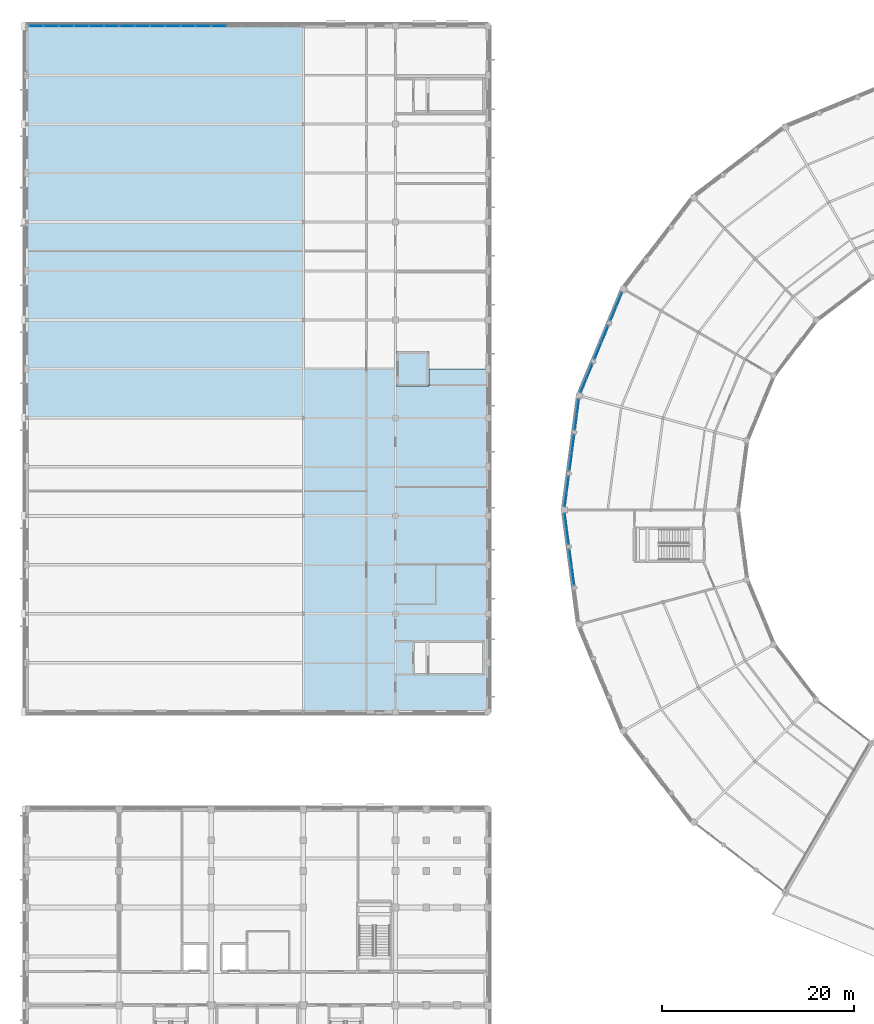
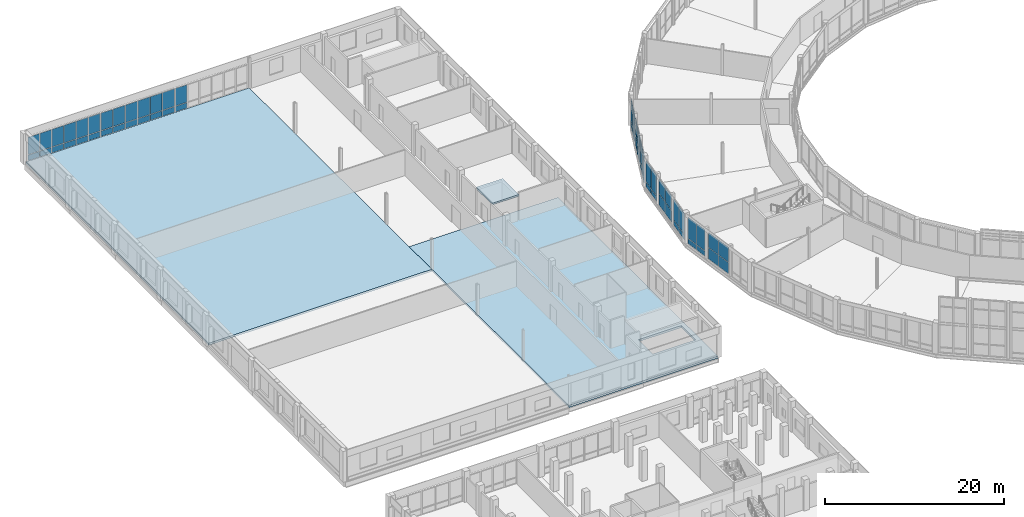
# One storey, part 139 of 185: 58 plates, 3 slabs, 11 elements without a shape of their own.
"""IFC4 building model written with IfcOpenShell, lengths in metres."""

from ifc_helpers import new_model, si_unit, direction, frame, origin, origin_2d, place, context, subcontext, project, spatial, polyline, rectangle, outline, extrude, material, layer, layer_set, type_object, element, aggregate, save


model = new_model("IFC4")

# Units and contexts
model_context = context("Model", 3, precision=1e-05, world=origin(), true_north=direction((0.0, 1.0)))
body_context = subcontext(model_context, "Body", "Model", "MODEL_VIEW")
ifc_project = project(units=[si_unit("LENGTHUNIT", "METRE"), si_unit("AREAUNIT", "SQUARE_METRE"), si_unit("VOLUMEUNIT", "CUBIC_METRE"), si_unit("PLANEANGLEUNIT", "RADIAN"), si_unit("MASSUNIT", "GRAM", prefix="KILO")], contexts=[model_context])

# Site, building, storey
site_placement = place(None, origin())
site = spatial("IfcSite", under=ifc_project, at=site_placement, CompositionType="ELEMENT")
building_placement = place(site_placement, origin())
building = spatial("IfcBuilding", under=site, at=building_placement, Name="Vondelvale Polytechnic", CompositionType="ELEMENT")
storey_placement = place(building_placement, frame((0.0, 0.0, 9.60009765625)))
storey = spatial("IfcBuildingStorey", under=building, at=storey_placement, Name="L02", CompositionType="ELEMENT", Elevation=9.60009765625)

# Curtain wall, plates
ifc_material_1 = material(Name="Anodised extruded aluminium 6063-T6", Category="aluminium")
curtain_wall_type_1 = type_object("IfcCurtainWallType", Name="CW-STUDIO-NORTH", PredefinedType="NOTDEFINED", material=ifc_material_1)
curtain_wall_1_placement = place(storey_placement, origin())
curtain_wall_1 = element("IfcCurtainWall", 1, at=curtain_wall_1_placement, inside=storey, type_object=curtain_wall_type_1, Name="L02 architectural curtain wall CW-01-004", PredefinedType="NOTDEFINED")
ifc_material_2 = material(Name="Double-glazed low-E insulated architectural glass", Category="glass")
ifc_layer_1 = layer(ifc_material_2, 0.028076171875)
ifc_layer_set_1 = layer_set([ifc_layer_1], Name="CW-PANEL-GLAZED")
plate_type_1 = type_object("IfcPlateType", Name="CW-PANEL-GLAZED", PredefinedType="CURTAIN_PANEL", material=ifc_layer_set_1)
plate_1_placement = place(storey_placement, frame((0.992431640625, 122.39990234375, 0.8798828125), z_axis=(0.0, 0.0, 1.0), x_axis=(1.0, 0.0, 0.0)))
plate_1 = element("IfcPlate", 2, at=plate_1_placement, type_object=plate_type_1, Name="CW-01-004 panel 1.2", PredefinedType="CURTAIN_PANEL", context=body_context, shape_type="SweptSolid", body=[
    extrude(rectangle(XDim=1.4677734375, YDim=0.028076171875, at=origin_2d()), origin(), (0.0, 0.0, 1.0), 2.3798828125),
])
plate_2_placement = place(storey_placement, frame((2.541259765625, 122.39990234375, 0.8798828125), z_axis=(0.0, 0.0, 1.0), x_axis=(1.0, 0.0, 0.0)))
plate_2 = element("IfcPlate", 3, at=plate_2_placement, type_object=plate_type_1, Name="CW-01-004 panel 2.2", PredefinedType="CURTAIN_PANEL", context=body_context, shape_type="SweptSolid", body=[
    extrude(rectangle(XDim=1.500244140625, YDim=0.028076171875, at=origin_2d()), origin(), (0.0, 0.0, 1.0), 2.3798828125),
])
plate_3_placement = place(storey_placement, frame((4.106689453125, 122.39990234375, 0.8798828125), z_axis=(0.0, 0.0, 1.0), x_axis=(1.0, 0.0, 0.0)))
plate_3 = element("IfcPlate", 4, at=plate_3_placement, type_object=plate_type_1, Name="CW-01-004 panel 3.2", PredefinedType="CURTAIN_PANEL", context=body_context, shape_type="SweptSolid", body=[
    extrude(rectangle(XDim=1.500244140625, YDim=0.028076171875, at=origin_2d()), origin(), (0.0, 0.0, 1.0), 2.3798828125),
])
plate_4_placement = place(storey_placement, frame((5.671875, 122.39990234375, 0.8798828125), z_axis=(0.0, 0.0, 1.0), x_axis=(1.0, 0.0, 0.0)))
plate_4 = element("IfcPlate", 5, at=plate_4_placement, type_object=plate_type_1, Name="CW-01-004 panel 4.2", PredefinedType="CURTAIN_PANEL", context=body_context, shape_type="SweptSolid", body=[
    extrude(rectangle(XDim=1.500244140625, YDim=0.028076171875, at=origin_2d()), origin(), (0.0, 0.0, 1.0), 2.3798828125),
])
plate_5_placement = place(storey_placement, frame((7.237060546875, 122.39990234375, 0.8798828125), z_axis=(0.0, 0.0, 1.0), x_axis=(1.0, 0.0, 0.0)))
plate_5 = element("IfcPlate", 6, at=plate_5_placement, type_object=plate_type_1, Name="CW-01-004 panel 5.2", PredefinedType="CURTAIN_PANEL", context=body_context, shape_type="SweptSolid", body=[
    extrude(rectangle(XDim=1.500244140625, YDim=0.028076171875, at=origin_2d()), origin(), (0.0, 0.0, 1.0), 2.3798828125),
])
plate_6_placement = place(storey_placement, frame((8.7861328125, 122.39990234375, 0.8798828125), z_axis=(0.0, 0.0, 1.0), x_axis=(1.0, 0.0, 0.0)))
plate_6 = element("IfcPlate", 7, at=plate_6_placement, type_object=plate_type_1, Name="CW-01-004 panel 6.2", PredefinedType="CURTAIN_PANEL", context=body_context, shape_type="SweptSolid", body=[
    extrude(rectangle(XDim=1.4677734375, YDim=0.028076171875, at=origin_2d()), origin(), (0.0, 0.0, 1.0), 2.3798828125),
])

curtain_wall_2_placement = place(storey_placement, origin())
curtain_wall_2 = element("IfcCurtainWall", 8, at=curtain_wall_2_placement, inside=storey, type_object=curtain_wall_type_1, Name="L02 architectural curtain wall CW-01-005", PredefinedType="NOTDEFINED")
plate_7_placement = place(storey_placement, frame((10.4287109375, 122.39990234375, 0.8798828125), z_axis=(0.0, 0.0, 1.0), x_axis=(1.0, 0.0, 0.0)))
plate_7 = element("IfcPlate", 9, at=plate_7_placement, type_object=plate_type_1, Name="CW-01-005 panel 1.2", PredefinedType="CURTAIN_PANEL", context=body_context, shape_type="SweptSolid", body=[
    extrude(rectangle(XDim=1.49755859375, YDim=0.028076171875, at=origin_2d()), origin(), (0.0, 0.0, 1.0), 2.3798828125),
])
plate_8_placement = place(storey_placement, frame((12.007568359375, 122.39990234375, 0.8798828125), z_axis=(0.0, 0.0, 1.0), x_axis=(1.0, 0.0, 0.0)))
plate_8 = element("IfcPlate", 10, at=plate_8_placement, type_object=plate_type_1, Name="CW-01-005 panel 2.2", PredefinedType="CURTAIN_PANEL", context=body_context, shape_type="SweptSolid", body=[
    extrude(rectangle(XDim=1.530029296875, YDim=0.028076171875, at=origin_2d()), origin(), (0.0, 0.0, 1.0), 2.3798828125),
])
plate_9_placement = place(storey_placement, frame((13.6025390625, 122.39990234375, 0.8798828125), z_axis=(0.0, 0.0, 1.0), x_axis=(1.0, 0.0, 0.0)))
plate_9 = element("IfcPlate", 11, at=plate_9_placement, type_object=plate_type_1, Name="CW-01-005 panel 3.2", PredefinedType="CURTAIN_PANEL", context=body_context, shape_type="SweptSolid", body=[
    extrude(rectangle(XDim=1.530029296875, YDim=0.028076171875, at=origin_2d()), origin(), (0.0, 0.0, 1.0), 2.3798828125),
])
plate_10_placement = place(storey_placement, frame((15.197509765625, 122.39990234375, 0.8798828125), z_axis=(0.0, 0.0, 1.0), x_axis=(1.0, 0.0, 0.0)))
plate_10 = element("IfcPlate", 12, at=plate_10_placement, type_object=plate_type_1, Name="CW-01-005 panel 4.2", PredefinedType="CURTAIN_PANEL", context=body_context, shape_type="SweptSolid", body=[
    extrude(rectangle(XDim=1.530029296875, YDim=0.028076171875, at=origin_2d()), origin(), (0.0, 0.0, 1.0), 2.3798828125),
])
plate_11_placement = place(storey_placement, frame((16.79248046875, 122.39990234375, 0.8798828125), z_axis=(0.0, 0.0, 1.0), x_axis=(1.0, 0.0, 0.0)))
plate_11 = element("IfcPlate", 13, at=plate_11_placement, type_object=plate_type_1, Name="CW-01-005 panel 5.2", PredefinedType="CURTAIN_PANEL", context=body_context, shape_type="SweptSolid", body=[
    extrude(rectangle(XDim=1.530029296875, YDim=0.028076171875, at=origin_2d()), origin(), (0.0, 0.0, 1.0), 2.3798828125),
])
plate_12_placement = place(storey_placement, frame((18.371337890625, 122.39990234375, 0.8798828125), z_axis=(0.0, 0.0, 1.0), x_axis=(1.0, 0.0, 0.0)))
plate_12 = element("IfcPlate", 14, at=plate_12_placement, type_object=plate_type_1, Name="CW-01-005 panel 6.2", PredefinedType="CURTAIN_PANEL", context=body_context, shape_type="SweptSolid", body=[
    extrude(rectangle(XDim=1.49755859375, YDim=0.028076171875, at=origin_2d()), origin(), (0.0, 0.0, 1.0), 2.3798828125),
])

# Curtain wall, plate
curtain_wall_3_placement = place(storey_placement, origin())
curtain_wall_3 = element("IfcCurtainWall", 15, at=curtain_wall_3_placement, inside=storey, type_object=curtain_wall_type_1, Name="L02 architectural curtain wall CW-01-006", PredefinedType="NOTDEFINED")
plate_13_placement = place(storey_placement, frame((20.013916015625, 122.39990234375, 0.8798828125), z_axis=(0.0, 0.0, 1.0), x_axis=(1.0, 0.0, 0.0)))
plate_13 = element("IfcPlate", 16, at=plate_13_placement, type_object=plate_type_1, Name="CW-01-006 panel 1.2", PredefinedType="CURTAIN_PANEL", context=body_context, shape_type="SweptSolid", body=[
    extrude(rectangle(XDim=1.4677734375, YDim=0.028076171875, at=origin_2d()), origin(), (0.0, 0.0, 1.0), 2.3798828125),
])

# Curtain wall, plates
ifc_material_3 = material(Name="Glulam GL18 structural Tasmanian oak (fb = 42 MPa)", Category="wood")
curtain_wall_type_2 = type_object("IfcCurtainWallType", Name="CW-RING-OUTER", PredefinedType="NOTDEFINED", material=ifc_material_3)
curtain_wall_4_placement = place(storey_placement, origin())
curtain_wall_4 = element("IfcCurtainWall", 17, at=curtain_wall_4_placement, inside=storey, type_object=curtain_wall_type_2, Name="L02 architectural curtain wall CW-04-234", PredefinedType="NOTDEFINED")
plate_14_placement = place(storey_placement, frame((61.7177734375, 93.92578125, 0.780029296875), z_axis=(0.0, 0.0, 1.0), x_axis=(-0.382677394529, -0.923882033442, 0.0)))
plate_14 = element("IfcPlate", 18, at=plate_14_placement, type_object=plate_type_1, Name="CW-04-234 panel 1.2", PredefinedType="CURTAIN_PANEL", context=body_context, shape_type="SweptSolid", body=[
    extrude(rectangle(XDim=1.530029296875, YDim=0.028076171875, at=origin_2d()), origin(), (0.0, 0.0, 1.0), 2.8798828125),
])
plate_15_placement = place(storey_placement, frame((61.107421875, 92.4521484375, 0.780029296875), z_axis=(0.0, 0.0, 1.0), x_axis=(-0.382677394529, -0.923882033442, 0.0)))
plate_15 = element("IfcPlate", 19, at=plate_15_placement, type_object=plate_type_1, Name="CW-04-234 panel 2.2", PredefinedType="CURTAIN_PANEL", context=body_context, shape_type="SweptSolid", body=[
    extrude(rectangle(XDim=1.530029296875, YDim=0.028076171875, at=origin_2d()), origin(), (0.0, 0.0, 1.0), 2.8798828125),
])

curtain_wall_5_placement = place(storey_placement, origin())
curtain_wall_5 = element("IfcCurtainWall", 20, at=curtain_wall_5_placement, inside=storey, type_object=curtain_wall_type_2, Name="L02 architectural curtain wall CW-04-236", PredefinedType="NOTDEFINED")
plate_16_placement = place(storey_placement, frame((58.622802734375, 86.453369140625, 0.780029296875), z_axis=(0.0, 0.0, 1.0), x_axis=(-0.382677394529, -0.923882033442, 0.0)))
plate_16 = element("IfcPlate", 21, at=plate_16_placement, type_object=plate_type_1, Name="CW-04-236 panel 1.2", PredefinedType="CURTAIN_PANEL", context=body_context, shape_type="SweptSolid", body=[
    extrude(rectangle(XDim=1.530029296875, YDim=0.028076171875, at=origin_2d()), origin(), (0.0, 0.0, 1.0), 2.8798828125),
])
plate_17_placement = place(storey_placement, frame((58.01220703125, 84.97998046875, 0.780029296875), z_axis=(0.0, 0.0, 1.0), x_axis=(-0.382677394529, -0.923882033442, 0.0)))
plate_17 = element("IfcPlate", 22, at=plate_17_placement, type_object=plate_type_1, Name="CW-04-236 panel 2.2", PredefinedType="CURTAIN_PANEL", context=body_context, shape_type="SweptSolid", body=[
    extrude(rectangle(XDim=1.530029296875, YDim=0.028076171875, at=origin_2d()), origin(), (0.0, 0.0, 1.0), 2.8798828125),
])

curtain_wall_6_placement = place(storey_placement, origin())
curtain_wall_6 = element("IfcCurtainWall", 23, at=curtain_wall_6_placement, inside=storey, type_object=curtain_wall_type_2, Name="L02 architectural curtain wall CW-04-249", PredefinedType="NOTDEFINED")
plate_18_placement = place(storey_placement, frame((57.415771484375, 82.7529296875, 0.780029296875), z_axis=(0.0, 0.0, 1.0), x_axis=(-0.130539547729, -0.991443102996, 0.0)))
plate_18 = element("IfcPlate", 24, at=plate_18_placement, type_object=plate_type_1, Name="CW-04-249 panel 1.2", PredefinedType="CURTAIN_PANEL", context=body_context, shape_type="SweptSolid", body=[
    extrude(rectangle(XDim=1.530029296875, YDim=0.028076171875, at=origin_2d()), origin(), (0.0, 0.0, 1.0), 2.8798828125),
])
plate_19_placement = place(storey_placement, frame((57.20751953125, 81.171630859375, 0.780029296875), z_axis=(0.0, 0.0, 1.0), x_axis=(-0.130539547729, -0.991443102996, 0.0)))
plate_19 = element("IfcPlate", 25, at=plate_19_placement, type_object=plate_type_1, Name="CW-04-249 panel 2.2", PredefinedType="CURTAIN_PANEL", context=body_context, shape_type="SweptSolid", body=[
    extrude(rectangle(XDim=1.530029296875, YDim=0.028076171875, at=origin_2d()), origin(), (0.0, 0.0, 1.0), 2.8798828125),
])

curtain_wall_7_placement = place(storey_placement, origin())
curtain_wall_7 = element("IfcCurtainWall", 26, at=curtain_wall_7_placement, inside=storey, type_object=curtain_wall_type_2, Name="L02 architectural curtain wall CW-04-250", PredefinedType="NOTDEFINED")
plate_20_placement = place(storey_placement, frame((56.906005859375, 78.8818359375, 1.6298828125), z_axis=(0.0, 0.0, 1.0), x_axis=(-0.130497251349, -0.991448671082, 0.0)))
plate_20 = element("IfcPlate", 27, at=plate_20_placement, type_object=plate_type_1, Name="CW-04-250 panel 1.2", PredefinedType="CURTAIN_PANEL", context=body_context, shape_type="SweptSolid", body=[
    extrude(rectangle(XDim=1.80908203125, YDim=0.028076171875, at=origin_2d()), origin(), (0.0, 0.0, 1.0), 2.030029296875),
])
plate_21_placement = place(storey_placement, frame((56.661376953125, 77.02392578125, 1.6298828125), z_axis=(0.0, 0.0, 1.0), x_axis=(-0.130497251349, -0.991448671082, 0.0)))
plate_21 = element("IfcPlate", 28, at=plate_21_placement, type_object=plate_type_1, Name="CW-04-250 panel 2.2", PredefinedType="CURTAIN_PANEL", context=body_context, shape_type="SweptSolid", body=[
    extrude(rectangle(XDim=1.80908203125, YDim=0.028076171875, at=origin_2d()), origin(), (0.0, 0.0, 1.0), 2.030029296875),
])

curtain_wall_8_placement = place(storey_placement, origin())
curtain_wall_8 = element("IfcCurtainWall", 29, at=curtain_wall_8_placement, inside=storey, type_object=curtain_wall_type_2, Name="L02 architectural curtain wall CW-04-251", PredefinedType="NOTDEFINED")
plate_22_placement = place(storey_placement, frame((56.35986328125, 74.734130859375, 0.780029296875), z_axis=(0.0, 0.0, 1.0), x_axis=(-0.130539547729, -0.991443102996, 0.0)))
plate_22 = element("IfcPlate", 30, at=plate_22_placement, type_object=plate_type_1, Name="CW-04-251 panel 1.2", PredefinedType="CURTAIN_PANEL", context=body_context, shape_type="SweptSolid", body=[
    extrude(rectangle(XDim=1.530029296875, YDim=0.028076171875, at=origin_2d()), origin(), (0.0, 0.0, 1.0), 2.8798828125),
])
plate_23_placement = place(storey_placement, frame((56.15185546875, 73.15283203125, 0.780029296875), z_axis=(0.0, 0.0, 1.0), x_axis=(-0.130539547729, -0.991443102996, 0.0)))
plate_23 = element("IfcPlate", 31, at=plate_23_placement, type_object=plate_type_1, Name="CW-04-251 panel 2.2", PredefinedType="CURTAIN_PANEL", context=body_context, shape_type="SweptSolid", body=[
    extrude(rectangle(XDim=1.530029296875, YDim=0.028076171875, at=origin_2d()), origin(), (0.0, 0.0, 1.0), 2.8798828125),
])

curtain_wall_9_placement = place(storey_placement, origin())
curtain_wall_9 = element("IfcCurtainWall", 32, at=curtain_wall_9_placement, inside=storey, type_object=curtain_wall_type_2, Name="L02 architectural curtain wall CW-04-264", PredefinedType="NOTDEFINED")
plate_24_placement = place(storey_placement, frame((56.15185546875, 70.84716796875, 0.780029296875), z_axis=(0.0, 0.0, 1.0), x_axis=(0.130539547729, -0.991443102996, 0.0)))
plate_24 = element("IfcPlate", 33, at=plate_24_placement, type_object=plate_type_1, Name="CW-04-264 panel 1.2", PredefinedType="CURTAIN_PANEL", context=body_context, shape_type="SweptSolid", body=[
    extrude(rectangle(XDim=1.530029296875, YDim=0.028076171875, at=origin_2d()), origin(), (0.0, 0.0, 1.0), 2.8798828125),
])
plate_25_placement = place(storey_placement, frame((56.35986328125, 69.265869140625, 0.780029296875), z_axis=(0.0, 0.0, 1.0), x_axis=(0.130539547729, -0.991443102996, 0.0)))
plate_25 = element("IfcPlate", 34, at=plate_25_placement, type_object=plate_type_1, Name="CW-04-264 panel 2.2", PredefinedType="CURTAIN_PANEL", context=body_context, shape_type="SweptSolid", body=[
    extrude(rectangle(XDim=1.530029296875, YDim=0.028076171875, at=origin_2d()), origin(), (0.0, 0.0, 1.0), 2.8798828125),
])

curtain_wall_10_placement = place(storey_placement, origin())
curtain_wall_10 = element("IfcCurtainWall", 35, at=curtain_wall_10_placement, inside=storey, type_object=curtain_wall_type_2, Name="L02 architectural curtain wall CW-04-235", PredefinedType="NOTDEFINED")
ifc_material_4 = material(Name="Engineered Tasmanian oak studio and bridge joinery")
ifc_layer_2 = layer(ifc_material_4, 0.0419921875)
ifc_layer_set_2 = layer_set([ifc_layer_2], Name="CW-PANEL-OAK")
plate_type_2 = type_object("IfcPlateType", Name="CW-PANEL-OAK", PredefinedType="CURTAIN_PANEL", material=ifc_layer_set_2)
plate_26_placement = place(storey_placement, frame((60.2236328125, 90.318603515625, 0.06005859375), z_axis=(0.0, 0.0, 1.0), x_axis=(-0.382694599123, -0.92387490701, 0.0)))
plate_26 = element("IfcPlate", 36, at=plate_26_placement, type_object=plate_type_2, Name="CW-04-235 panel 1.1", PredefinedType="CURTAIN_PANEL", context=body_context, shape_type="SweptSolid", body=[
    extrude(rectangle(XDim=1.80908203125, YDim=0.0419921875, at=origin_2d()), origin(), (0.0, 0.0, 1.0), 1.510009765625),
])
plate_27_placement = place(storey_placement, frame((60.2236328125, 90.318603515625, 1.6298828125), z_axis=(0.0, 0.0, 1.0), x_axis=(-0.382694599123, -0.92387490701, 0.0)))
plate_27 = element("IfcPlate", 37, at=plate_27_placement, type_object=plate_type_2, Name="CW-04-235 panel 1.2", PredefinedType="CURTAIN_PANEL", context=body_context, shape_type="SweptSolid", body=[
    extrude(rectangle(XDim=1.80908203125, YDim=0.0419921875, at=origin_2d()), origin(), (0.0, 0.0, 1.0), 2.030029296875),
])
plate_28_placement = place(storey_placement, frame((59.506591796875, 88.587158203125, 0.06005859375), z_axis=(0.0, 0.0, 1.0), x_axis=(-0.382694599123, -0.92387490701, 0.0)))
plate_28 = element("IfcPlate", 38, at=plate_28_placement, type_object=plate_type_2, Name="CW-04-235 panel 2.1", PredefinedType="CURTAIN_PANEL", context=body_context, shape_type="SweptSolid", body=[
    extrude(rectangle(XDim=1.80908203125, YDim=0.0419921875, at=origin_2d()), origin(), (0.0, 0.0, 1.0), 1.510009765625),
])
plate_29_placement = place(storey_placement, frame((59.506591796875, 88.587158203125, 1.6298828125), z_axis=(0.0, 0.0, 1.0), x_axis=(-0.382694599123, -0.92387490701, 0.0)))
plate_29 = element("IfcPlate", 39, at=plate_29_placement, type_object=plate_type_2, Name="CW-04-235 panel 2.2", PredefinedType="CURTAIN_PANEL", context=body_context, shape_type="SweptSolid", body=[
    extrude(rectangle(XDim=1.80908203125, YDim=0.0419921875, at=origin_2d()), origin(), (0.0, 0.0, 1.0), 2.030029296875),
])
aggregate(curtain_wall_10, [plate_26, plate_27, plate_28, plate_29])

# Plate
plate_30_placement = place(storey_placement, frame((56.906005859375, 78.8818359375, 0.06005859375), z_axis=(0.0, 0.0, 1.0), x_axis=(-0.130497251349, -0.991448671082, 0.0)))
plate_30 = element("IfcPlate", 40, at=plate_30_placement, type_object=plate_type_2, Name="CW-04-250 panel 1.1", PredefinedType="CURTAIN_PANEL", context=body_context, shape_type="SweptSolid", body=[
    extrude(rectangle(XDim=1.80908203125, YDim=0.0419921875, at=origin_2d()), origin(), (0.0, 0.0, 1.0), 1.510009765625),
])

plate_31_placement = place(storey_placement, frame((56.661376953125, 77.02392578125, 0.06005859375), z_axis=(0.0, 0.0, 1.0), x_axis=(-0.130497251349, -0.991448671082, 0.0)))
plate_31 = element("IfcPlate", 41, at=plate_31_placement, type_object=plate_type_2, Name="CW-04-250 panel 2.1", PredefinedType="CURTAIN_PANEL", context=body_context, shape_type="SweptSolid", body=[
    extrude(rectangle(XDim=1.80908203125, YDim=0.0419921875, at=origin_2d()), origin(), (0.0, 0.0, 1.0), 1.510009765625),
])

aggregate(curtain_wall_7, [plate_30, plate_20, plate_31, plate_21])

# Curtain wall, plates
curtain_wall_11_placement = place(storey_placement, origin())
curtain_wall_11 = element("IfcCurtainWall", 42, at=curtain_wall_11_placement, inside=storey, type_object=curtain_wall_type_2, Name="L02 architectural curtain wall CW-04-265", PredefinedType="NOTDEFINED")
plate_32_placement = place(storey_placement, frame((56.661376953125, 66.97607421875, 0.06005859375), z_axis=(0.0, 0.0, 1.0), x_axis=(0.130497251349, -0.991448671082, 0.0)))
plate_32 = element("IfcPlate", 43, at=plate_32_placement, type_object=plate_type_2, Name="CW-04-265 panel 1.1", PredefinedType="CURTAIN_PANEL", context=body_context, shape_type="SweptSolid", body=[
    extrude(rectangle(XDim=1.80908203125, YDim=0.0419921875, at=origin_2d()), origin(), (0.0, 0.0, 1.0), 1.510009765625),
])
plate_33_placement = place(storey_placement, frame((56.661376953125, 66.97607421875, 1.6298828125), z_axis=(0.0, 0.0, 1.0), x_axis=(0.130497251349, -0.991448671082, 0.0)))
plate_33 = element("IfcPlate", 44, at=plate_33_placement, type_object=plate_type_2, Name="CW-04-265 panel 1.2", PredefinedType="CURTAIN_PANEL", context=body_context, shape_type="SweptSolid", body=[
    extrude(rectangle(XDim=1.80908203125, YDim=0.0419921875, at=origin_2d()), origin(), (0.0, 0.0, 1.0), 2.030029296875),
])
plate_34_placement = place(storey_placement, frame((56.906005859375, 65.1181640625, 0.06005859375), z_axis=(0.0, 0.0, 1.0), x_axis=(0.130497251349, -0.991448671082, 0.0)))
plate_34 = element("IfcPlate", 45, at=plate_34_placement, type_object=plate_type_2, Name="CW-04-265 panel 2.1", PredefinedType="CURTAIN_PANEL", context=body_context, shape_type="SweptSolid", body=[
    extrude(rectangle(XDim=1.80908203125, YDim=0.0419921875, at=origin_2d()), origin(), (0.0, 0.0, 1.0), 1.510009765625),
])
plate_35_placement = place(storey_placement, frame((56.906005859375, 65.1181640625, 1.6298828125), z_axis=(0.0, 0.0, 1.0), x_axis=(0.130497251349, -0.991448671082, 0.0)))
plate_35 = element("IfcPlate", 46, at=plate_35_placement, type_object=plate_type_2, Name="CW-04-265 panel 2.2", PredefinedType="CURTAIN_PANEL", context=body_context, shape_type="SweptSolid", body=[
    extrude(rectangle(XDim=1.80908203125, YDim=0.0419921875, at=origin_2d()), origin(), (0.0, 0.0, 1.0), 2.030029296875),
])
aggregate(curtain_wall_11, [plate_32, plate_33, plate_34, plate_35])

# Plate
ifc_material_5 = material(Name="Kiln-fired architectural terracotta", Category="masonry")
ifc_layer_3 = layer(ifc_material_5, 0.035888671875)
ifc_layer_set_3 = layer_set([ifc_layer_3], Name="CW-PANEL-SPANDREL")
plate_type_3 = type_object("IfcPlateType", Name="CW-PANEL-SPANDREL", PredefinedType="CURTAIN_PANEL", material=ifc_layer_set_3)
plate_36_placement = place(storey_placement, frame((0.992431640625, 122.39990234375, 0.06005859375), z_axis=(0.0, 0.0, 1.0), x_axis=(1.0, 0.0, 0.0)))
plate_36 = element("IfcPlate", 47, at=plate_36_placement, type_object=plate_type_3, Name="CW-01-004 panel 1.1", PredefinedType="CURTAIN_PANEL", context=body_context, shape_type="SweptSolid", body=[
    extrude(rectangle(XDim=1.4677734375, YDim=0.035888671875, at=origin_2d()), origin(), (0.0, 0.0, 1.0), 0.760009765625),
])

plate_37_placement = place(storey_placement, frame((2.541259765625, 122.39990234375, 0.06005859375), z_axis=(0.0, 0.0, 1.0), x_axis=(1.0, 0.0, 0.0)))
plate_37 = element("IfcPlate", 48, at=plate_37_placement, type_object=plate_type_3, Name="CW-01-004 panel 2.1", PredefinedType="CURTAIN_PANEL", context=body_context, shape_type="SweptSolid", body=[
    extrude(rectangle(XDim=1.500244140625, YDim=0.035888671875, at=origin_2d()), origin(), (0.0, 0.0, 1.0), 0.760009765625),
])

plate_38_placement = place(storey_placement, frame((4.106689453125, 122.39990234375, 0.06005859375), z_axis=(0.0, 0.0, 1.0), x_axis=(1.0, 0.0, 0.0)))
plate_38 = element("IfcPlate", 49, at=plate_38_placement, type_object=plate_type_3, Name="CW-01-004 panel 3.1", PredefinedType="CURTAIN_PANEL", context=body_context, shape_type="SweptSolid", body=[
    extrude(rectangle(XDim=1.500244140625, YDim=0.035888671875, at=origin_2d()), origin(), (0.0, 0.0, 1.0), 0.760009765625),
])

plate_39_placement = place(storey_placement, frame((5.671875, 122.39990234375, 0.06005859375), z_axis=(0.0, 0.0, 1.0), x_axis=(1.0, 0.0, 0.0)))
plate_39 = element("IfcPlate", 50, at=plate_39_placement, type_object=plate_type_3, Name="CW-01-004 panel 4.1", PredefinedType="CURTAIN_PANEL", context=body_context, shape_type="SweptSolid", body=[
    extrude(rectangle(XDim=1.500244140625, YDim=0.035888671875, at=origin_2d()), origin(), (0.0, 0.0, 1.0), 0.760009765625),
])

plate_40_placement = place(storey_placement, frame((7.237060546875, 122.39990234375, 0.06005859375), z_axis=(0.0, 0.0, 1.0), x_axis=(1.0, 0.0, 0.0)))
plate_40 = element("IfcPlate", 51, at=plate_40_placement, type_object=plate_type_3, Name="CW-01-004 panel 5.1", PredefinedType="CURTAIN_PANEL", context=body_context, shape_type="SweptSolid", body=[
    extrude(rectangle(XDim=1.500244140625, YDim=0.035888671875, at=origin_2d()), origin(), (0.0, 0.0, 1.0), 0.760009765625),
])

plate_41_placement = place(storey_placement, frame((8.7861328125, 122.39990234375, 0.06005859375), z_axis=(0.0, 0.0, 1.0), x_axis=(1.0, 0.0, 0.0)))
plate_41 = element("IfcPlate", 52, at=plate_41_placement, type_object=plate_type_3, Name="CW-01-004 panel 6.1", PredefinedType="CURTAIN_PANEL", context=body_context, shape_type="SweptSolid", body=[
    extrude(rectangle(XDim=1.4677734375, YDim=0.035888671875, at=origin_2d()), origin(), (0.0, 0.0, 1.0), 0.760009765625),
])

aggregate(curtain_wall_1, [plate_36, plate_1, plate_37, plate_2, plate_38, plate_3, plate_39, plate_4, plate_40, plate_5, plate_41, plate_6])

plate_42_placement = place(storey_placement, frame((10.4287109375, 122.39990234375, 0.06005859375), z_axis=(0.0, 0.0, 1.0), x_axis=(1.0, 0.0, 0.0)))
plate_42 = element("IfcPlate", 53, at=plate_42_placement, type_object=plate_type_3, Name="CW-01-005 panel 1.1", PredefinedType="CURTAIN_PANEL", context=body_context, shape_type="SweptSolid", body=[
    extrude(rectangle(XDim=1.49755859375, YDim=0.035888671875, at=origin_2d()), origin(), (0.0, 0.0, 1.0), 0.760009765625),
])

plate_43_placement = place(storey_placement, frame((12.007568359375, 122.39990234375, 0.06005859375), z_axis=(0.0, 0.0, 1.0), x_axis=(1.0, 0.0, 0.0)))
plate_43 = element("IfcPlate", 54, at=plate_43_placement, type_object=plate_type_3, Name="CW-01-005 panel 2.1", PredefinedType="CURTAIN_PANEL", context=body_context, shape_type="SweptSolid", body=[
    extrude(rectangle(XDim=1.530029296875, YDim=0.035888671875, at=origin_2d()), origin(), (0.0, 0.0, 1.0), 0.760009765625),
])

plate_44_placement = place(storey_placement, frame((13.6025390625, 122.39990234375, 0.06005859375), z_axis=(0.0, 0.0, 1.0), x_axis=(1.0, 0.0, 0.0)))
plate_44 = element("IfcPlate", 55, at=plate_44_placement, type_object=plate_type_3, Name="CW-01-005 panel 3.1", PredefinedType="CURTAIN_PANEL", context=body_context, shape_type="SweptSolid", body=[
    extrude(rectangle(XDim=1.530029296875, YDim=0.035888671875, at=origin_2d()), origin(), (0.0, 0.0, 1.0), 0.760009765625),
])

plate_45_placement = place(storey_placement, frame((15.197509765625, 122.39990234375, 0.06005859375), z_axis=(0.0, 0.0, 1.0), x_axis=(1.0, 0.0, 0.0)))
plate_45 = element("IfcPlate", 56, at=plate_45_placement, type_object=plate_type_3, Name="CW-01-005 panel 4.1", PredefinedType="CURTAIN_PANEL", context=body_context, shape_type="SweptSolid", body=[
    extrude(rectangle(XDim=1.530029296875, YDim=0.035888671875, at=origin_2d()), origin(), (0.0, 0.0, 1.0), 0.760009765625),
])

plate_46_placement = place(storey_placement, frame((16.79248046875, 122.39990234375, 0.06005859375), z_axis=(0.0, 0.0, 1.0), x_axis=(1.0, 0.0, 0.0)))
plate_46 = element("IfcPlate", 57, at=plate_46_placement, type_object=plate_type_3, Name="CW-01-005 panel 5.1", PredefinedType="CURTAIN_PANEL", context=body_context, shape_type="SweptSolid", body=[
    extrude(rectangle(XDim=1.530029296875, YDim=0.035888671875, at=origin_2d()), origin(), (0.0, 0.0, 1.0), 0.760009765625),
])

plate_47_placement = place(storey_placement, frame((18.371337890625, 122.39990234375, 0.06005859375), z_axis=(0.0, 0.0, 1.0), x_axis=(1.0, 0.0, 0.0)))
plate_47 = element("IfcPlate", 58, at=plate_47_placement, type_object=plate_type_3, Name="CW-01-005 panel 6.1", PredefinedType="CURTAIN_PANEL", context=body_context, shape_type="SweptSolid", body=[
    extrude(rectangle(XDim=1.49755859375, YDim=0.035888671875, at=origin_2d()), origin(), (0.0, 0.0, 1.0), 0.760009765625),
])

aggregate(curtain_wall_2, [plate_42, plate_7, plate_43, plate_8, plate_44, plate_9, plate_45, plate_10, plate_46, plate_11, plate_47, plate_12])

plate_48_placement = place(storey_placement, frame((20.013916015625, 122.39990234375, 0.06005859375), z_axis=(0.0, 0.0, 1.0), x_axis=(1.0, 0.0, 0.0)))
plate_48 = element("IfcPlate", 59, at=plate_48_placement, type_object=plate_type_3, Name="CW-01-006 panel 1.1", PredefinedType="CURTAIN_PANEL", context=body_context, shape_type="SweptSolid", body=[
    extrude(rectangle(XDim=1.4677734375, YDim=0.035888671875, at=origin_2d()), origin(), (0.0, 0.0, 1.0), 0.760009765625),
])

aggregate(curtain_wall_3, [plate_48, plate_13])

plate_49_placement = place(storey_placement, frame((61.7177734375, 93.92578125, 0.06005859375), z_axis=(0.0, 0.0, 1.0), x_axis=(-0.382677394529, -0.923882033442, 0.0)))
plate_49 = element("IfcPlate", 60, at=plate_49_placement, type_object=plate_type_3, Name="CW-04-234 panel 1.1", PredefinedType="CURTAIN_PANEL", context=body_context, shape_type="SweptSolid", body=[
    extrude(rectangle(XDim=1.530029296875, YDim=0.035888671875, at=origin_2d()), origin(), (0.0, 0.0, 1.0), 0.659912109375),
])

plate_50_placement = place(storey_placement, frame((61.107421875, 92.4521484375, 0.06005859375), z_axis=(0.0, 0.0, 1.0), x_axis=(-0.382677394529, -0.923882033442, 0.0)))
plate_50 = element("IfcPlate", 61, at=plate_50_placement, type_object=plate_type_3, Name="CW-04-234 panel 2.1", PredefinedType="CURTAIN_PANEL", context=body_context, shape_type="SweptSolid", body=[
    extrude(rectangle(XDim=1.530029296875, YDim=0.035888671875, at=origin_2d()), origin(), (0.0, 0.0, 1.0), 0.659912109375),
])

aggregate(curtain_wall_4, [plate_49, plate_14, plate_50, plate_15])

plate_51_placement = place(storey_placement, frame((58.622802734375, 86.453369140625, 0.06005859375), z_axis=(0.0, 0.0, 1.0), x_axis=(-0.382677394529, -0.923882033442, 0.0)))
plate_51 = element("IfcPlate", 62, at=plate_51_placement, type_object=plate_type_3, Name="CW-04-236 panel 1.1", PredefinedType="CURTAIN_PANEL", context=body_context, shape_type="SweptSolid", body=[
    extrude(rectangle(XDim=1.530029296875, YDim=0.035888671875, at=origin_2d()), origin(), (0.0, 0.0, 1.0), 0.659912109375),
])

plate_52_placement = place(storey_placement, frame((58.01220703125, 84.97998046875, 0.06005859375), z_axis=(0.0, 0.0, 1.0), x_axis=(-0.382677394529, -0.923882033442, 0.0)))
plate_52 = element("IfcPlate", 63, at=plate_52_placement, type_object=plate_type_3, Name="CW-04-236 panel 2.1", PredefinedType="CURTAIN_PANEL", context=body_context, shape_type="SweptSolid", body=[
    extrude(rectangle(XDim=1.530029296875, YDim=0.035888671875, at=origin_2d()), origin(), (0.0, 0.0, 1.0), 0.659912109375),
])

aggregate(curtain_wall_5, [plate_51, plate_16, plate_52, plate_17])

plate_53_placement = place(storey_placement, frame((57.415771484375, 82.7529296875, 0.06005859375), z_axis=(0.0, 0.0, 1.0), x_axis=(-0.130539547729, -0.991443102996, 0.0)))
plate_53 = element("IfcPlate", 64, at=plate_53_placement, type_object=plate_type_3, Name="CW-04-249 panel 1.1", PredefinedType="CURTAIN_PANEL", context=body_context, shape_type="SweptSolid", body=[
    extrude(rectangle(XDim=1.530029296875, YDim=0.035888671875, at=origin_2d()), origin(), (0.0, 0.0, 1.0), 0.659912109375),
])

plate_54_placement = place(storey_placement, frame((57.20751953125, 81.171630859375, 0.06005859375), z_axis=(0.0, 0.0, 1.0), x_axis=(-0.130539547729, -0.991443102996, 0.0)))
plate_54 = element("IfcPlate", 65, at=plate_54_placement, type_object=plate_type_3, Name="CW-04-249 panel 2.1", PredefinedType="CURTAIN_PANEL", context=body_context, shape_type="SweptSolid", body=[
    extrude(rectangle(XDim=1.530029296875, YDim=0.035888671875, at=origin_2d()), origin(), (0.0, 0.0, 1.0), 0.659912109375),
])

aggregate(curtain_wall_6, [plate_53, plate_18, plate_54, plate_19])

plate_55_placement = place(storey_placement, frame((56.35986328125, 74.734130859375, 0.06005859375), z_axis=(0.0, 0.0, 1.0), x_axis=(-0.130539547729, -0.991443102996, 0.0)))
plate_55 = element("IfcPlate", 66, at=plate_55_placement, type_object=plate_type_3, Name="CW-04-251 panel 1.1", PredefinedType="CURTAIN_PANEL", context=body_context, shape_type="SweptSolid", body=[
    extrude(rectangle(XDim=1.530029296875, YDim=0.035888671875, at=origin_2d()), origin(), (0.0, 0.0, 1.0), 0.659912109375),
])

plate_56_placement = place(storey_placement, frame((56.15185546875, 73.15283203125, 0.06005859375), z_axis=(0.0, 0.0, 1.0), x_axis=(-0.130539547729, -0.991443102996, 0.0)))
plate_56 = element("IfcPlate", 67, at=plate_56_placement, type_object=plate_type_3, Name="CW-04-251 panel 2.1", PredefinedType="CURTAIN_PANEL", context=body_context, shape_type="SweptSolid", body=[
    extrude(rectangle(XDim=1.530029296875, YDim=0.035888671875, at=origin_2d()), origin(), (0.0, 0.0, 1.0), 0.659912109375),
])

aggregate(curtain_wall_8, [plate_55, plate_22, plate_56, plate_23])

plate_57_placement = place(storey_placement, frame((56.15185546875, 70.84716796875, 0.06005859375), z_axis=(0.0, 0.0, 1.0), x_axis=(0.130539547729, -0.991443102996, 0.0)))
plate_57 = element("IfcPlate", 68, at=plate_57_placement, type_object=plate_type_3, Name="CW-04-264 panel 1.1", PredefinedType="CURTAIN_PANEL", context=body_context, shape_type="SweptSolid", body=[
    extrude(rectangle(XDim=1.530029296875, YDim=0.035888671875, at=origin_2d()), origin(), (0.0, 0.0, 1.0), 0.659912109375),
])

plate_58_placement = place(storey_placement, frame((56.35986328125, 69.265869140625, 0.06005859375), z_axis=(0.0, 0.0, 1.0), x_axis=(0.130539547729, -0.991443102996, 0.0)))
plate_58 = element("IfcPlate", 69, at=plate_58_placement, type_object=plate_type_3, Name="CW-04-264 panel 2.1", PredefinedType="CURTAIN_PANEL", context=body_context, shape_type="SweptSolid", body=[
    extrude(rectangle(XDim=1.530029296875, YDim=0.035888671875, at=origin_2d()), origin(), (0.0, 0.0, 1.0), 0.659912109375),
])

aggregate(curtain_wall_9, [plate_57, plate_24, plate_58, plate_25])

# Slabs
ifc_material_6 = material(Name="Concrete N40 (f'c = 40 MPa)", Category="concrete")
ifc_layer_4 = layer(ifc_material_6, 0.199951171875)
ifc_layer_set_4 = layer_set([ifc_layer_4], Name="SLB-ROOF-200")
slab_type_1 = type_object("IfcSlabType", Name="SLB-ROOF-200", PredefinedType="ROOF", material=ifc_layer_set_4)
slab_1_placement = place(storey_placement, frame((0.0, 0.0, 3.39990234375)))
element("IfcSlab", 70, at=slab_1_placement, inside=storey, type_object=slab_type_1, Name="GL-01 lift shaft overrun cap slab", PredefinedType="ROOF", context=body_context, shape_type="SweptSolid", body=[
    extrude(outline(polyline([(38.5, 84.89990234375), (41.89990234375, 84.89990234375), (41.89990234375, 88.5), (38.5, 88.5), (38.5, 84.89990234375)])), origin(), (0.0, 0.0, 1.0), 0.219970703125),
])
ifc_layer_5 = layer(ifc_material_6, 0.300048828125)
ifc_layer_set_5 = layer_set([ifc_layer_5], Name="SLB-WORKSHOP-300")
slab_type_2 = type_object("IfcSlabType", Name="SLB-WORKSHOP-300", PredefinedType="FLOOR", material=ifc_layer_set_5)
slab_2_placement = place(storey_placement, frame((0.0, 0.0, -0.280029296875)))
element("IfcSlab", 71, at=slab_2_placement, inside=storey, type_object=slab_type_2, Name="L02 workshop crane hall slab WN", PredefinedType="FLOOR", context=body_context, shape_type="SweptSolid", body=[
    extrude(outline(polyline([(0.0, 81.60009765625), (28.800048828125, 81.60009765625), (28.800048828125, 122.39990234375), (0.0, 122.39990234375), (0.0, 81.60009765625)])), origin(), (0.0, 0.0, 1.0), 0.280029296875),
])
slab_3_placement = place(storey_placement, frame((0.0, 0.0, -0.280029296875)))
element("IfcSlab", 72, at=slab_3_placement, inside=storey, type_object=slab_type_2, Name="L02 workshop support slab ES", PredefinedType="FLOOR", context=body_context, shape_type="SweptSolid", body=[
    extrude(outline(polyline([(28.800048828125, 51.0), (48.0, 51.0), (48.0, 86.699951171875), (28.800048828125, 86.699951171875), (28.800048828125, 51.0)]), holes=[polyline([(41.89990234375, 55.0), (47.449951171875, 55.0), (47.449951171875, 58.199951171875), (41.89990234375, 58.199951171875), (41.89990234375, 55.0)])]), origin(), (0.0, 0.0, 1.0), 0.280029296875),
])

save(model, "model.ifc")
